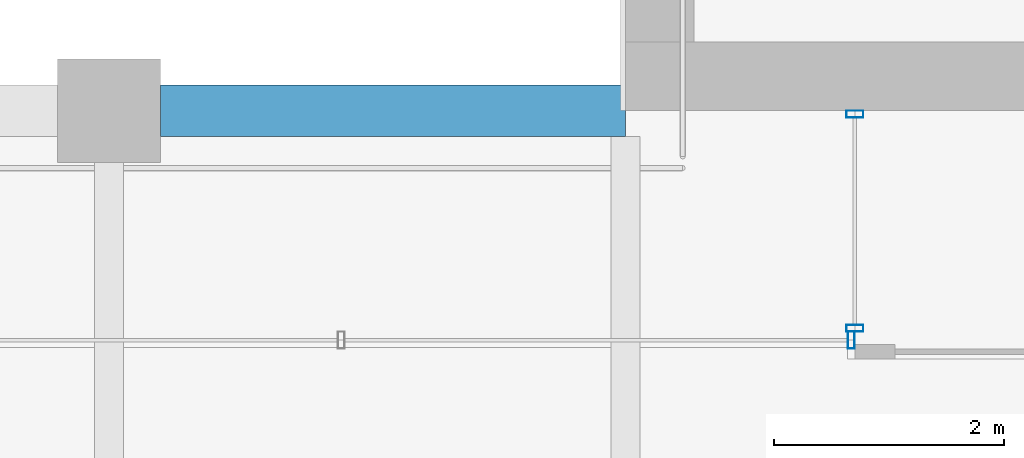
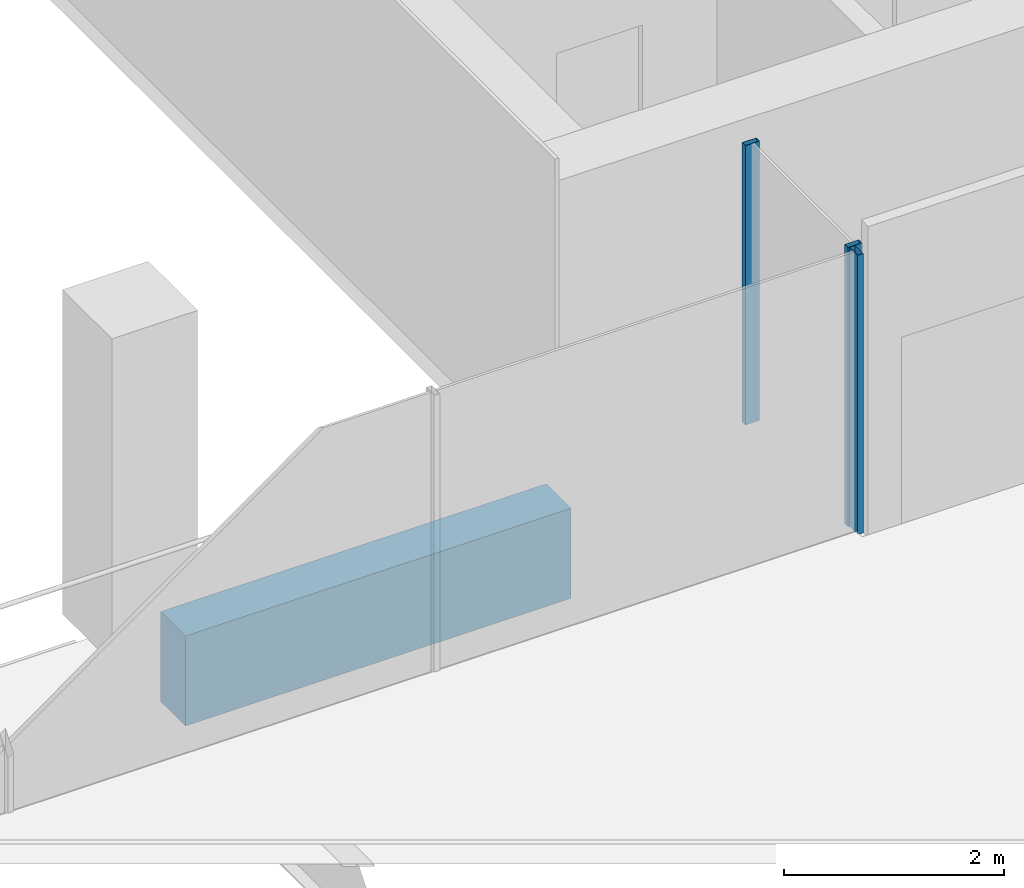
# One storey, part 6 of 40: 3 members, 1 beam, 2 elements without a shape of their own.
"""IFC4 building model written with IfcOpenShell, lengths in metres."""

from ifc_helpers import new_model, si_unit, direction, frame, origin, origin_2d, place, context, subcontext, project, spatial, rectangle, hollow_rectangle, extrude, material, material_profile, profile_set, type_object, element, aggregate, save


model = new_model("IFC4")

# Units and contexts
model_context = context("Model", 3, precision=1e-05, world=origin(), true_north=direction((0.0, 1.0)))
body_context = subcontext(model_context, "Body", "Model", "MODEL_VIEW")
ifc_project = project(units=[si_unit("LENGTHUNIT", "METRE"), si_unit("AREAUNIT", "SQUARE_METRE"), si_unit("VOLUMEUNIT", "CUBIC_METRE"), si_unit("PLANEANGLEUNIT", "RADIAN"), si_unit("MASSUNIT", "GRAM", prefix="KILO")], contexts=[model_context])

# Site, building, storey
site_placement = place(None, origin())
site = spatial("IfcSite", under=ifc_project, at=site_placement, CompositionType="ELEMENT")
building_placement = place(site_placement, origin())
building = spatial("IfcBuilding", under=site, at=building_placement, Name="Altepetl Exchange Towers", CompositionType="ELEMENT")
storey_placement = place(building_placement, frame((0.0, 0.0, 161.800048828125)))
storey = spatial("IfcBuildingStorey", under=building, at=storey_placement, Name="L40", CompositionType="ELEMENT", Elevation=161.800048828125)

# Curtain wall, members
ifc_material_1 = material(Name="Aluminium 6063-T6 glazing", Category="aluminium")
curtain_wall_type = type_object("IfcCurtainWallType", Name="Loggia glazing system", PredefinedType="NOTDEFINED", material=ifc_material_1)
curtain_wall_1_placement = place(storey_placement, origin())
curtain_wall_1 = element("IfcCurtainWall", 1, at=curtain_wall_1_placement, inside=storey, type_object=curtain_wall_type, Name="CW1 run", PredefinedType="NOTDEFINED")
ifc_material_2 = material(Name="Aluminium 6063-T6", Category="aluminium")
ifc_material_profile_1 = material_profile(ifc_material_2, hollow_rectangle(XDim=0.06005859375, YDim=0.14990234375, WallThickness=0.0029296875, at=origin_2d()), Name="Mullion 60x150 aluminium")
ifc_profile_set_1 = profile_set([ifc_material_profile_1], Name="Aluminium 6063-T6")
member_type = type_object("IfcMemberType", Name="Mullion 60x150 aluminium", PredefinedType="MULLION", material=ifc_profile_set_1)
member_1_placement = place(storey_placement, frame((42.5, 40.469970703125, 0.0), z_axis=(0.0, 0.0, 1.0), x_axis=(0.0, -1.0, 0.0)))
member_1 = element("IfcMember", 2, at=member_1_placement, type_object=member_type, Name="MU1 mullion", PredefinedType="MULLION", context=body_context, shape_type="SweptSolid", body=[
    extrude(hollow_rectangle(XDim=0.06005859375, YDim=0.14990234375, WallThickness=0.0029296875, at=origin_2d()), origin(), (0.0, 0.0, 1.0), 3.099853515625),
])
member_2_placement = place(storey_placement, frame((42.5, 38.60498046875, 0.0), z_axis=(0.0, 0.0, 1.0), x_axis=(0.0, -1.0, 0.0)))
member_2 = element("IfcMember", 3, at=member_2_placement, type_object=member_type, Name="MU1 mullion", PredefinedType="MULLION", context=body_context, shape_type="SweptSolid", body=[
    extrude(hollow_rectangle(XDim=0.06005859375, YDim=0.14990234375, WallThickness=0.0029296875, at=origin_2d()), origin(), (0.0, 0.0, 1.0), 3.099853515625),
])
aggregate(curtain_wall_1, [member_1, member_2])

# Curtain wall, member
curtain_wall_2_placement = place(storey_placement, origin())
curtain_wall_2 = element("IfcCurtainWall", 4, at=curtain_wall_2_placement, inside=storey, type_object=curtain_wall_type, Name="CW1 run", PredefinedType="NOTDEFINED")
member_3_placement = place(storey_placement, frame((42.469970703125, 38.5, 0.0), z_axis=(0.0, 0.0, 1.0), x_axis=(-1.0, 0.0, 0.0)))
member_3 = element("IfcMember", 5, at=member_3_placement, type_object=member_type, Name="MU1 mullion", PredefinedType="MULLION", context=body_context, shape_type="SweptSolid", body=[
    extrude(hollow_rectangle(XDim=0.06005859375, YDim=0.14990234375, WallThickness=0.0029296875, at=origin_2d()), origin(), (0.0, 0.0, 1.0), 3.099853515625),
])
aggregate(curtain_wall_2, [member_3])

# Beam
ifc_material_3 = material(Name="Concrete C50/60 precast with tezontle facing", Category="concrete")
ifc_material_profile_2 = material_profile(ifc_material_3, rectangle(XDim=0.449951171875, YDim=1.0, at=origin_2d()), Name="450 x 1000")
ifc_profile_set_2 = profile_set([ifc_material_profile_2], Name="Concrete C50/60 precast with tezontle facing")
beam_type = type_object("IfcBeamType", Name="Spandrel beam 450x1000 tezontle", PredefinedType="SPANDREL", material=ifc_profile_set_2)
beam_placement = place(storey_placement, frame((40.5, 40.5, -0.650146484375), z_axis=(-1.0, 0.0, 0.0), x_axis=(0.0, -1.0, 0.0)))
element("IfcBeam", 6, at=beam_placement, inside=storey, type_object=beam_type, Name="sp:A:L40:033", PredefinedType="SPANDREL", context=body_context, shape_type="SweptSolid", body=[
    extrude(rectangle(XDim=0.449951171875, YDim=1.0, at=origin_2d()), origin(), (0.0, 0.0, 1.0), 4.050048828125),
])

save(model, "model.ifc")
